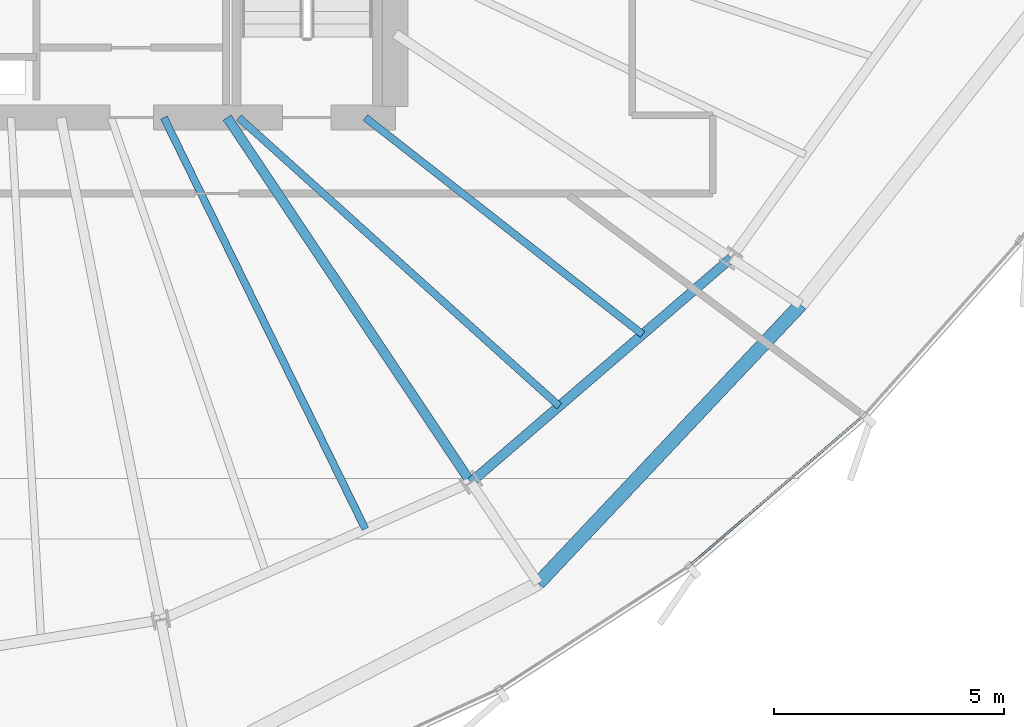
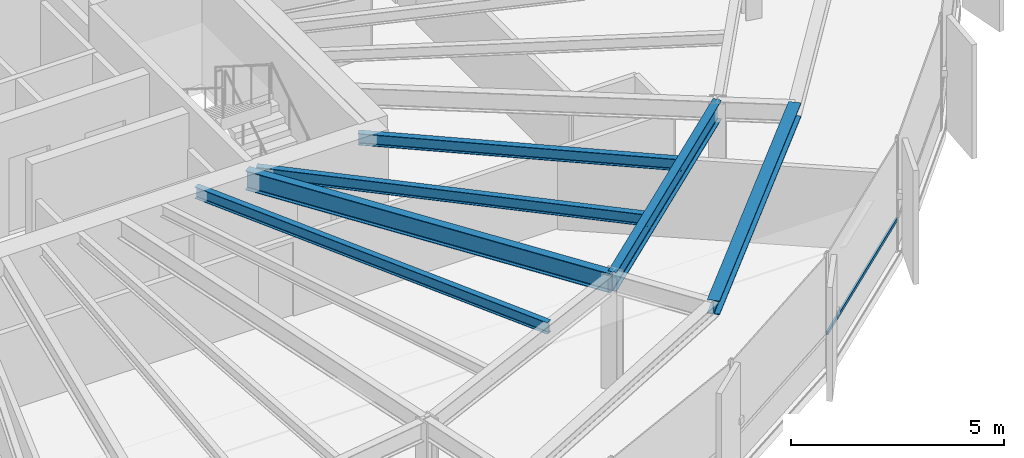
# One storey, part 13 of 36: 6 beams, 1 member, 1 element without a shape of its own.
"""IFC4 building model written with IfcOpenShell, lengths in metres."""

from ifc_helpers import new_model, si_unit, direction, frame, origin, origin_2d, place, context, subcontext, project, spatial, hollow_rectangle, i_section, extrude, source, transform, mapped, material, layer, layer_set, material_profile, profile_set, type_object, element, aggregate, save


model = new_model("IFC4")

# Units and contexts
model_context = context("Model", 3, precision=1e-05, world=origin(), true_north=direction((0.0, 1.0)))
body_context = subcontext(model_context, "Body", "Model", "MODEL_VIEW")
ifc_project = project(units=[si_unit("LENGTHUNIT", "METRE"), si_unit("AREAUNIT", "SQUARE_METRE"), si_unit("VOLUMEUNIT", "CUBIC_METRE"), si_unit("PLANEANGLEUNIT", "RADIAN"), si_unit("MASSUNIT", "GRAM", prefix="KILO"), si_unit("THERMODYNAMICTEMPERATUREUNIT", "KELVIN")], contexts=[model_context])

# Site, building, storey
site_placement = place(None, origin())
site = spatial("IfcSite", under=ifc_project, at=site_placement, CompositionType="ELEMENT")
building_placement = place(site_placement, origin())
building = spatial("IfcBuilding", under=site, at=building_placement, Name="Kethvar Cultural Tower", CompositionType="ELEMENT")
storey_placement = place(building_placement, frame((0.0, 0.0, 150.10009765625)))
storey = spatial("IfcBuildingStorey", under=building, at=storey_placement, Name="L38", CompositionType="ELEMENT", Elevation=150.10009765625)

# Beams
ifc_material_1 = material(Name="Steel S355J2", Category="steel")
ifc_material_profile_1 = material_profile(ifc_material_1, i_section(OverallWidth=0.2099609375, OverallDepth=0.550048828125, WebThickness=0.010986328125, FlangeThickness=0.01708984375, FilletRadius=0.02392578125, at=origin_2d()), Name="Steel S355J2 — IPE550")
ifc_profile_set_1 = profile_set([ifc_material_profile_1], Name="Steel S355J2 — IPE550")
beam_type_1 = type_object("IfcBeamType", Name="BM-IPE550", PredefinedType="BEAM", material=ifc_profile_set_1)
shared_shape_1 = source(origin(), body_context, "Body", "SweptSolid", [
    extrude(i_section(OverallWidth=0.2099609375, OverallDepth=0.550048828125, WebThickness=0.010986328125, FlangeThickness=0.01708984375, FilletRadius=0.02392578125, at=origin_2d()), origin(), (0.0, 0.0, 1.0), 9.534423828125),
])
beam_1_placement = place(storey_placement, frame((51.945068359375, 20.10009765625, 3.02294921875), z_axis=(0.555550817894, -0.831482584747, 0.0), x_axis=(0.831482584747, 0.555550817894, 0.0)))
element("IfcBeam", 1, at=beam_1_placement, inside=storey, type_object=beam_type_1, Name="L38 Primary Radial Beam RB-14", PredefinedType="BEAM", context=body_context, shape_type="MappedRepresentation", body=[
    mapped(shared_shape_1, transform((0.0, 0.0, 0.0), scale=1.0)),
])
ifc_material_profile_2 = material_profile(ifc_material_1, i_section(OverallWidth=0.159912109375, OverallDepth=0.330078125, WebThickness=0.007568359375, FlangeThickness=0.011474609375, FilletRadius=0.01806640625, at=origin_2d()), Name="Steel S355J2 — IPE330")
ifc_profile_set_2 = profile_set([ifc_material_profile_2], Name="Steel S355J2 — IPE330")
beam_type_2 = type_object("IfcBeamType", Name="BM-J330", PredefinedType="JOIST", material=ifc_profile_set_2)
shared_shape_2 = source(origin(), body_context, "Body", "SweptSolid", [
    extrude(i_section(OverallWidth=0.159912109375, OverallDepth=0.330078125, WebThickness=0.007568359375, FlangeThickness=0.011474609375, FilletRadius=0.01806640625, at=origin_2d()), origin(), (0.0, 0.0, 1.0), 9.959228515625),
])
beam_2_placement = place(storey_placement, frame((50.57080078125, 20.10009765625, 3.1328125), z_axis=(0.439785134514, -0.898103020516, 0.0), x_axis=(0.898103020516, 0.439785134514, 0.0)))
element("IfcBeam", 2, at=beam_2_placement, inside=storey, type_object=beam_type_2, Name="L38 Composite Floor Joist J-13B", PredefinedType="JOIST", context=body_context, shape_type="MappedRepresentation", body=[
    mapped(shared_shape_2, transform((0.0, 0.0, 0.0), scale=1.0)),
])
shared_shape_3 = source(origin(), body_context, "Body", "SweptSolid", [
    extrude(i_section(OverallWidth=0.2099609375, OverallDepth=0.550048828125, WebThickness=0.010986328125, FlangeThickness=0.01708984375, FilletRadius=0.02392578125, at=origin_2d()), origin(), (0.0, 0.0, 1.0), 7.46484375),
])
beam_3_placement = place(storey_placement, frame((57.241943359375, 12.17236328125, 3.02294921875), z_axis=(0.757784075291, 0.652505398625, 0.0), x_axis=(-0.652505398625, 0.757784075291, 0.0)))
element("IfcBeam", 3, at=beam_3_placement, inside=storey, type_object=beam_type_1, Name="L38 Column Ring Tie Beam CR-14", PredefinedType="BEAM", context=body_context, shape_type="MappedRepresentation", body=[
    mapped(shared_shape_3, transform((0.0, 0.0, 0.0), scale=1.0)),
])
shared_shape_4 = source(origin(), body_context, "Body", "SweptSolid", [
    extrude(i_section(OverallWidth=0.159912109375, OverallDepth=0.330078125, WebThickness=0.007568359375, FlangeThickness=0.011474609375, FilletRadius=0.01806640625, at=origin_2d()), origin(), (0.0, 0.0, 1.0), 9.372802734375),
])
beam_4_placement = place(storey_placement, frame((52.199951171875, 20.10009765625, 3.1328125), z_axis=(0.743151656479, -0.669123019685, 0.0), x_axis=(0.669123019685, 0.743151656479, 0.0)))
element("IfcBeam", 4, at=beam_4_placement, inside=storey, type_object=beam_type_2, Name="L38 Composite Floor Joist J-14A", PredefinedType="JOIST", context=body_context, shape_type="MappedRepresentation", body=[
    mapped(shared_shape_4, transform((0.0, 0.0, 0.0), scale=1.0)),
])
shared_shape_5 = source(origin(), body_context, "Body", "SweptSolid", [
    extrude(i_section(OverallWidth=0.159912109375, OverallDepth=0.330078125, WebThickness=0.007568359375, FlangeThickness=0.011474609375, FilletRadius=0.01806640625, at=origin_2d()), origin(), (0.0, 0.0, 1.0), 7.649658203125),
])
beam_5_placement = place(storey_placement, frame((54.949951171875, 20.10009765625, 3.1328125), z_axis=(0.787671994752, -0.616094821179, 0.0), x_axis=(0.616094821179, 0.787671994752, 0.0)))
element("IfcBeam", 5, at=beam_5_placement, inside=storey, type_object=beam_type_2, Name="L38 Composite Floor Joist J-14B", PredefinedType="JOIST", context=body_context, shape_type="MappedRepresentation", body=[
    mapped(shared_shape_5, transform((0.0, 0.0, 0.0), scale=1.0)),
])
ifc_material_profile_3 = material_profile(ifc_material_1, i_section(OverallWidth=0.300048828125, OverallDepth=0.39990234375, WebThickness=0.013427734375, FlangeThickness=0.02392578125, FilletRadius=0.027099609375, at=origin_2d()), Name="Steel S355J2 — HEB400")
ifc_profile_set_3 = profile_set([ifc_material_profile_3], Name="Steel S355J2 — HEB400")
beam_type_3 = type_object("IfcBeamType", Name="BM-SP400", PredefinedType="SPANDREL", material=ifc_profile_set_3)
shared_shape_6 = source(origin(), body_context, "Body", "SweptSolid", [
    extrude(i_section(OverallWidth=0.300048828125, OverallDepth=0.39990234375, WebThickness=0.013427734375, FlangeThickness=0.02392578125, FilletRadius=0.027099609375, at=origin_2d()), origin(), (0.0, 0.0, 1.0), 8.31787109375),
])
beam_6_placement = place(storey_placement, frame((58.709228515625, 9.9765625, 3.097900390625), z_axis=(0.685552361364, 0.728023323684, 0.0), x_axis=(-0.728023323684, 0.685552361364, 0.0)))
element("IfcBeam", 6, at=beam_6_placement, inside=storey, type_object=beam_type_3, Name="L38 Perimeter Spandrel Beam SP-14", PredefinedType="SPANDREL", context=body_context, shape_type="MappedRepresentation", body=[
    mapped(shared_shape_6, transform((0.0, 0.0, 0.0), scale=1.0)),
])

# Curtain wall, member
ifc_material_2 = material(Name="Aluminium 6063-T6", Category="aluminium")
ifc_layer = layer(ifc_material_2, 0.179931640625, Name="Aluminium 6063-T6", Category="aluminium")
ifc_layer_set = layer_set([ifc_layer], Name="Aluminium 6063-T6 (180 mm)")
curtain_wall_type = type_object("IfcCurtainWallType", Name="CW-SYS-04-Z34", PredefinedType="NOTDEFINED", material=ifc_layer_set)
curtain_wall_placement = place(storey_placement, origin())
curtain_wall = element("IfcCurtainWall", 7, at=curtain_wall_placement, inside=storey, type_object=curtain_wall_type, Name="L38 Curtain Wall Run 05", PredefinedType="NOTDEFINED")
ifc_material_profile_4 = material_profile(ifc_material_2, hollow_rectangle(XDim=0.050048828125, YDim=0.10009765625, WallThickness=0.00390625, at=origin_2d()), Name="Aluminium 6063-T6 — RHS100x50x4")
ifc_profile_set_4 = profile_set([ifc_material_profile_4], Name="Aluminium 6063-T6 — RHS100x50x4")
member_type = type_object("IfcMemberType", Name="CW-SYS-04-Z34-TRN", PredefinedType="USERDEFINED", material=ifc_profile_set_4)
shared_shape_7 = source(origin(), body_context, "Body", "SweptSolid", [
    extrude(hollow_rectangle(XDim=0.050048828125, YDim=0.10009765625, WallThickness=0.00390625, at=origin_2d()), origin(), (0.0, 0.0, 1.0), 4.937744140625),
])
member_placement = place(storey_placement, frame((62.018310546875, 10.382080078125, 0.949951171875), z_axis=(0.757526307436, 0.652804636582, 0.0), x_axis=(-0.652804636582, 0.757526307436, 0.0)))
member = element("IfcMember", 8, at=member_placement, type_object=member_type, Name="CW-L38-R05 Transom 5", ObjectType="TRANSOM", PredefinedType="USERDEFINED", context=body_context, shape_type="MappedRepresentation", body=[
    mapped(shared_shape_7, transform((0.0, 0.0, 0.0), scale=1.0)),
])
aggregate(curtain_wall, [member])

save(model, "model.ifc")
